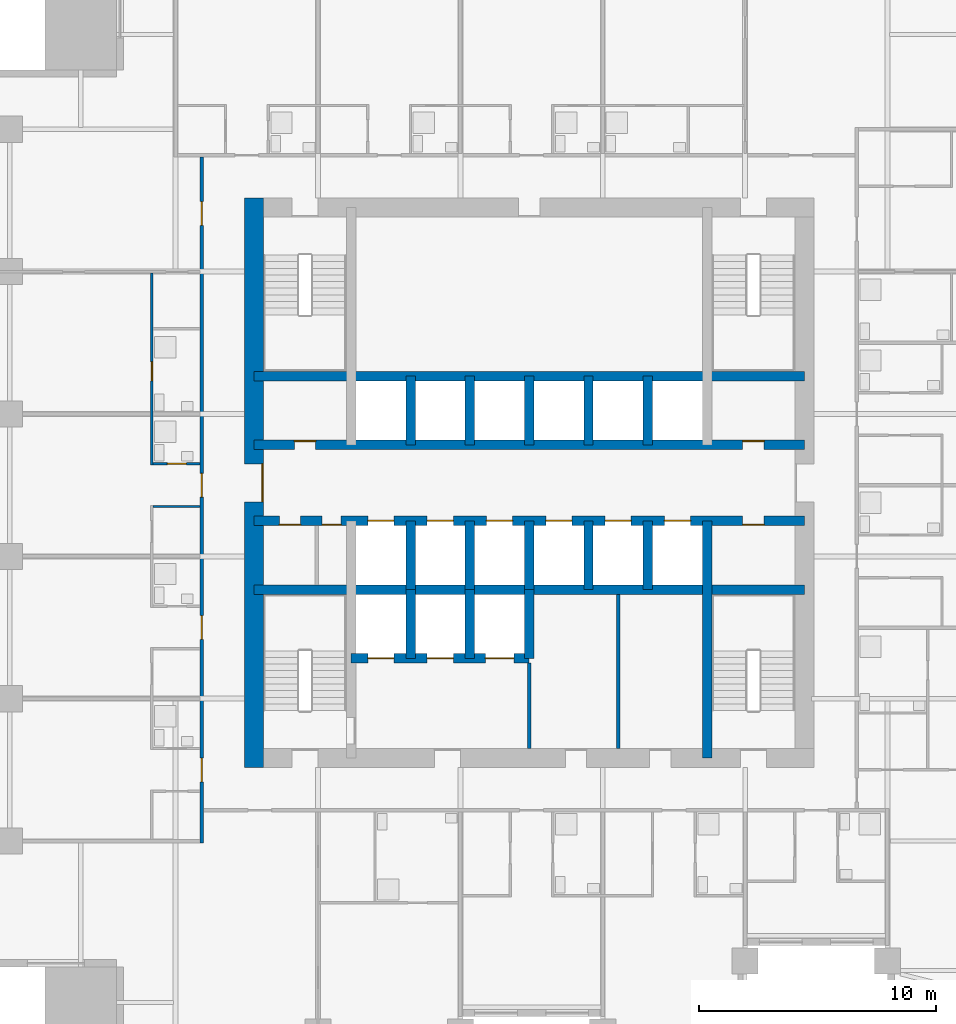
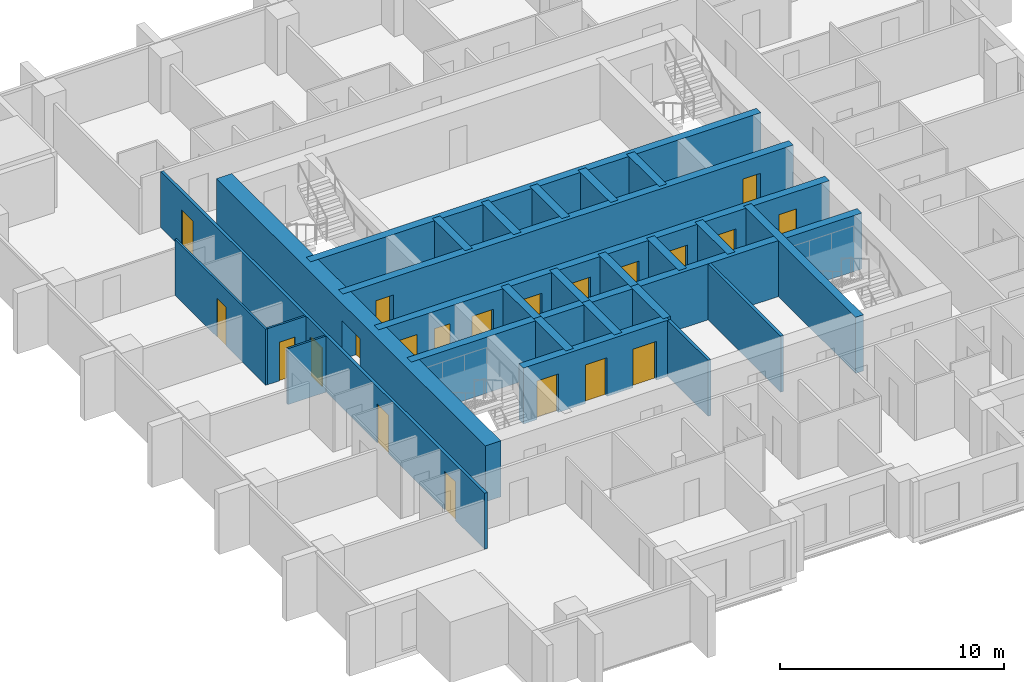
# One storey, part 5 of 11: 26 walls, 21 doors, 21 openings.
"""IFC4 building model written with IfcOpenShell, lengths in metres."""

from ifc_helpers import new_model, si_unit, direction, frame, frame_2d, origin, place, context, subcontext, project, spatial, rectangle, extrude, material, layer, layer_set, type_object, element, fill, save


model = new_model("IFC4")

# Units and contexts
model_context = context("Model", 3, precision=1e-05, world=origin(), true_north=direction((0.0, 1.0)))
body_context = subcontext(model_context, "Body", "Model", "MODEL_VIEW")
ifc_project = project(units=[si_unit("LENGTHUNIT", "METRE"), si_unit("AREAUNIT", "SQUARE_METRE"), si_unit("VOLUMEUNIT", "CUBIC_METRE"), si_unit("PLANEANGLEUNIT", "RADIAN"), si_unit("MASSUNIT", "GRAM", prefix="KILO")], contexts=[model_context])

# Site, building, storey
site_placement = place(None, origin())
site = spatial("IfcSite", under=ifc_project, at=site_placement, CompositionType="ELEMENT")
building_placement = place(site_placement, origin())
building = spatial("IfcBuilding", under=site, at=building_placement, Name="Amberfall Residences", CompositionType="ELEMENT")
storey_placement = place(building_placement, frame((0.0, 0.0, 91.89990234375)))
storey = spatial("IfcBuildingStorey", under=building, at=storey_placement, Name="L24", CompositionType="ELEMENT", Elevation=91.89990234375)

# Wall
ifc_material_1 = material(Name="Concrete C70", Category="concrete")
ifc_layer_1 = layer(ifc_material_1, 0.39990234375)
ifc_layer_set_1 = layer_set([ifc_layer_1], Name="Core wall 400 C70")
wall_type_1 = type_object("IfcWallType", Name="Core wall 400 C70", PredefinedType="SHEAR", material=ifc_layer_set_1)
wall_1_placement = place(storey_placement, frame((62.89990234375, 41.0, 0.0), z_axis=(0.0, 0.0, 1.0), x_axis=(1.0, 0.0, 0.0)))
element("IfcWall", 1, at=wall_1_placement, inside=storey, type_object=wall_type_1, Name="Core wall RW4 L24 H75", PredefinedType="SHEAR", context=body_context, shape_type="SweptSolid", body=[
    extrude(rectangle(XDim=23.2001953125, YDim=0.39990234375, at=frame_2d((11.60009765625, 0.0))), origin(), (0.0, 0.0, 1.0), 3.050048828125),
])

# Wall, openings, doors
wall_2_placement = place(storey_placement, frame((62.89990234375, 43.89990234375, 0.0), z_axis=(0.0, 0.0, 1.0), x_axis=(1.0, 0.0, 0.0)))
wall_2 = element("IfcWall", 2, at=wall_2_placement, inside=storey, type_object=wall_type_1, Name="Core wall RW4 L24 H104", PredefinedType="SHEAR", context=body_context, shape_type="SweptSolid", body=[
    extrude(rectangle(XDim=23.2001953125, YDim=0.39990234375, at=frame_2d((11.60009765625, 0.0))), origin(), (0.0, 0.0, 1.0), 3.050048828125),
])
opening_1_placement = place(wall_2_placement, frame((1.070068359375, 0.0, 0.0)))
opening_1 = element("IfcOpeningElement", 3, at=opening_1_placement, cuts=wall_2, Name="Opening RD1", PredefinedType="OPENING", context=body_context, shape_type="SweptSolid", body=[
    extrude(rectangle(XDim=0.89990234375, YDim=2.10009765625, at=frame_2d((0.449951171875, 1.050048828125))), frame((0.0, 0.2099609375, 0.0), z_axis=(0.0, -1.0, 0.0), x_axis=(1.0, 0.0, 0.0)), (0.0, 0.0, 1.0), 0.419921875),
])
opening_2_placement = place(wall_2_placement, frame((2.8701171875, 0.0, 0.0)))
opening_2 = element("IfcOpeningElement", 4, at=opening_2_placement, cuts=wall_2, Name="Opening RD2", PredefinedType="OPENING", context=body_context, shape_type="SweptSolid", body=[
    extrude(rectangle(XDim=0.800048828125, YDim=2.10009765625, at=frame_2d((0.39990234375, 1.050048828125))), frame((0.0, 0.2099609375, 0.0), z_axis=(0.0, -1.0, 0.0), x_axis=(1.0, 0.0, 0.0)), (0.0, 0.0, 1.0), 0.419921875),
])
opening_3_placement = place(wall_2_placement, frame((20.60009765625, 0.0, 0.0)))
opening_3 = element("IfcOpeningElement", 5, at=opening_3_placement, cuts=wall_2, Name="Opening RD1", PredefinedType="OPENING", context=body_context, shape_type="SweptSolid", body=[
    extrude(rectangle(XDim=0.89990234375, YDim=2.10009765625, at=frame_2d((0.449951171875, 1.050048828125))), frame((0.0, 0.2099609375, 0.0), z_axis=(0.0, -1.0, 0.0), x_axis=(1.0, 0.0, 0.0)), (0.0, 0.0, 1.0), 0.419921875),
])
opening_4_placement = place(wall_2_placement, frame((4.800048828125, 0.0, 0.0)))
opening_4 = element("IfcOpeningElement", 6, at=opening_4_placement, cuts=wall_2, Name="Opening LD1", PredefinedType="OPENING", context=body_context, shape_type="SweptSolid", body=[
    extrude(rectangle(XDim=1.10009765625, YDim=2.10009765625, at=frame_2d((0.550048828125, 1.050048828125))), frame((0.0, 0.2099609375, 0.0), z_axis=(0.0, -1.0, 0.0), x_axis=(1.0, 0.0, 0.0)), (0.0, 0.0, 1.0), 0.419921875),
])
opening_5_placement = place(wall_2_placement, frame((7.300048828125, 0.0, 0.0)))
opening_5 = element("IfcOpeningElement", 7, at=opening_5_placement, cuts=wall_2, Name="Opening LD1", PredefinedType="OPENING", context=body_context, shape_type="SweptSolid", body=[
    extrude(rectangle(XDim=1.10009765625, YDim=2.10009765625, at=frame_2d((0.550048828125, 1.050048828125))), frame((0.0, 0.2099609375, 0.0), z_axis=(0.0, -1.0, 0.0), x_axis=(1.0, 0.0, 0.0)), (0.0, 0.0, 1.0), 0.419921875),
])
opening_6_placement = place(wall_2_placement, frame((9.800048828125, 0.0, 0.0)))
opening_6 = element("IfcOpeningElement", 8, at=opening_6_placement, cuts=wall_2, Name="Opening LD1", PredefinedType="OPENING", context=body_context, shape_type="SweptSolid", body=[
    extrude(rectangle(XDim=1.10009765625, YDim=2.10009765625, at=frame_2d((0.550048828125, 1.050048828125))), frame((0.0, 0.2099609375, 0.0), z_axis=(0.0, -1.0, 0.0), x_axis=(1.0, 0.0, 0.0)), (0.0, 0.0, 1.0), 0.419921875),
])
opening_7_placement = place(wall_2_placement, frame((12.300048828125, 0.0, 0.0)))
opening_7 = element("IfcOpeningElement", 9, at=opening_7_placement, cuts=wall_2, Name="Opening LD1", PredefinedType="OPENING", context=body_context, shape_type="SweptSolid", body=[
    extrude(rectangle(XDim=1.10009765625, YDim=2.10009765625, at=frame_2d((0.550048828125, 1.050048828125))), frame((0.0, 0.2099609375, 0.0), z_axis=(0.0, -1.0, 0.0), x_axis=(1.0, 0.0, 0.0)), (0.0, 0.0, 1.0), 0.419921875),
])
opening_8_placement = place(wall_2_placement, frame((14.800048828125, 0.0, 0.0)))
opening_8 = element("IfcOpeningElement", 10, at=opening_8_placement, cuts=wall_2, Name="Opening LD1", PredefinedType="OPENING", context=body_context, shape_type="SweptSolid", body=[
    extrude(rectangle(XDim=1.10009765625, YDim=2.10009765625, at=frame_2d((0.550048828125, 1.050048828125))), frame((0.0, 0.2099609375, 0.0), z_axis=(0.0, -1.0, 0.0), x_axis=(1.0, 0.0, 0.0)), (0.0, 0.0, 1.0), 0.419921875),
])
opening_9_placement = place(wall_2_placement, frame((17.300048828125, 0.0, 0.0)))
opening_9 = element("IfcOpeningElement", 11, at=opening_9_placement, cuts=wall_2, Name="Opening LD1", PredefinedType="OPENING", context=body_context, shape_type="SweptSolid", body=[
    extrude(rectangle(XDim=1.10009765625, YDim=2.10009765625, at=frame_2d((0.550048828125, 1.050048828125))), frame((0.0, 0.2099609375, 0.0), z_axis=(0.0, -1.0, 0.0), x_axis=(1.0, 0.0, 0.0)), (0.0, 0.0, 1.0), 0.419921875),
])
ifc_material_2 = material(Name="Steel fire door set", Category="steel")
door_type_1 = type_object("IfcDoorType", Name="Lift landing door 1100 x 2100", OperationType="DOUBLE_DOOR_SLIDING", PredefinedType="DOOR", material=ifc_material_2)
door_1_placement = place(opening_4_placement, origin())
door_1 = element("IfcDoor", 12, at=door_1_placement, inside=storey, type_object=door_type_1, Name="Landing door LP1 L24", OperationType="DOUBLE_DOOR_SLIDING", OverallHeight=2.10009765625, OverallWidth=1.10009765625, PredefinedType="DOOR", context=body_context, shape_type="SweptSolid", body=[
    extrude(rectangle(XDim=1.10009765625, YDim=2.10009765625, at=frame_2d((0.550048828125, 1.050048828125))), frame((0.0, 0.02490234375, 0.0), z_axis=(0.0, -1.0, 0.0), x_axis=(1.0, 0.0, 0.0)), (0.0, 0.0, 1.0), 0.050048828125),
])
fill(opening_4, door_1)
door_2_placement = place(opening_5_placement, origin())
door_2 = element("IfcDoor", 13, at=door_2_placement, inside=storey, type_object=door_type_1, Name="Landing door LP2 L24", OperationType="DOUBLE_DOOR_SLIDING", OverallHeight=2.10009765625, OverallWidth=1.10009765625, PredefinedType="DOOR", context=body_context, shape_type="SweptSolid", body=[
    extrude(rectangle(XDim=1.10009765625, YDim=2.10009765625, at=frame_2d((0.550048828125, 1.050048828125))), frame((0.0, 0.02490234375, 0.0), z_axis=(0.0, -1.0, 0.0), x_axis=(1.0, 0.0, 0.0)), (0.0, 0.0, 1.0), 0.050048828125),
])
fill(opening_5, door_2)
door_3_placement = place(opening_6_placement, origin())
door_3 = element("IfcDoor", 14, at=door_3_placement, inside=storey, type_object=door_type_1, Name="Landing door LP3 L24", OperationType="DOUBLE_DOOR_SLIDING", OverallHeight=2.10009765625, OverallWidth=1.10009765625, PredefinedType="DOOR", context=body_context, shape_type="SweptSolid", body=[
    extrude(rectangle(XDim=1.10009765625, YDim=2.10009765625, at=frame_2d((0.550048828125, 1.050048828125))), frame((0.0, 0.02490234375, 0.0), z_axis=(0.0, -1.0, 0.0), x_axis=(1.0, 0.0, 0.0)), (0.0, 0.0, 1.0), 0.050048828125),
])
fill(opening_6, door_3)
door_4_placement = place(opening_7_placement, origin())
door_4 = element("IfcDoor", 15, at=door_4_placement, inside=storey, type_object=door_type_1, Name="Landing door LP4 L24", OperationType="DOUBLE_DOOR_SLIDING", OverallHeight=2.10009765625, OverallWidth=1.10009765625, PredefinedType="DOOR", context=body_context, shape_type="SweptSolid", body=[
    extrude(rectangle(XDim=1.10009765625, YDim=2.10009765625, at=frame_2d((0.550048828125, 1.050048828125))), frame((0.0, 0.02490234375, 0.0), z_axis=(0.0, -1.0, 0.0), x_axis=(1.0, 0.0, 0.0)), (0.0, 0.0, 1.0), 0.050048828125),
])
fill(opening_7, door_4)
door_5_placement = place(opening_8_placement, origin())
door_5 = element("IfcDoor", 16, at=door_5_placement, inside=storey, type_object=door_type_1, Name="Landing door LP5 L24", OperationType="DOUBLE_DOOR_SLIDING", OverallHeight=2.10009765625, OverallWidth=1.10009765625, PredefinedType="DOOR", context=body_context, shape_type="SweptSolid", body=[
    extrude(rectangle(XDim=1.10009765625, YDim=2.10009765625, at=frame_2d((0.550048828125, 1.050048828125))), frame((0.0, 0.02490234375, 0.0), z_axis=(0.0, -1.0, 0.0), x_axis=(1.0, 0.0, 0.0)), (0.0, 0.0, 1.0), 0.050048828125),
])
fill(opening_8, door_5)
door_6_placement = place(opening_9_placement, origin())
door_6 = element("IfcDoor", 17, at=door_6_placement, inside=storey, type_object=door_type_1, Name="Landing door LP6 L24", OperationType="DOUBLE_DOOR_SLIDING", OverallHeight=2.10009765625, OverallWidth=1.10009765625, PredefinedType="DOOR", context=body_context, shape_type="SweptSolid", body=[
    extrude(rectangle(XDim=1.10009765625, YDim=2.10009765625, at=frame_2d((0.550048828125, 1.050048828125))), frame((0.0, 0.02490234375, 0.0), z_axis=(0.0, -1.0, 0.0), x_axis=(1.0, 0.0, 0.0)), (0.0, 0.0, 1.0), 0.050048828125),
])
fill(opening_9, door_6)
door_type_2 = type_object("IfcDoorType", Name="Service room door 800 x 2100", OperationType="SINGLE_SWING_LEFT", PredefinedType="DOOR", material=ifc_material_2)
door_7_placement = place(opening_2_placement, origin())
door_7 = element("IfcDoor", 18, at=door_7_placement, inside=storey, type_object=door_type_2, Name="RD2 L24", OperationType="SINGLE_SWING_RIGHT", OverallHeight=2.10009765625, OverallWidth=0.800048828125, PredefinedType="DOOR", context=body_context, shape_type="SweptSolid", body=[
    extrude(rectangle(XDim=0.800048828125, YDim=2.10009765625, at=frame_2d((0.39990234375, 1.050048828125))), frame((0.0, -0.1376953125, 0.0), z_axis=(0.0, -1.0, 0.0), x_axis=(1.0, 0.0, 0.0)), (0.0, 0.0, 1.0), 0.050048828125),
])
fill(opening_2, door_7)
door_type_3 = type_object("IfcDoorType", Name="Service room door 900 x 2100", OperationType="SINGLE_SWING_LEFT", PredefinedType="DOOR", material=ifc_material_2)
door_8_placement = place(opening_1_placement, origin())
door_8 = element("IfcDoor", 19, at=door_8_placement, inside=storey, type_object=door_type_3, Name="RD1 L24", OperationType="SINGLE_SWING_LEFT", OverallHeight=2.10009765625, OverallWidth=0.89990234375, PredefinedType="DOOR", context=body_context, shape_type="SweptSolid", body=[
    extrude(rectangle(XDim=0.89990234375, YDim=2.10009765625, at=frame_2d((0.449951171875, 1.050048828125))), frame((0.0, -0.1376953125, 0.0), z_axis=(0.0, -1.0, 0.0), x_axis=(1.0, 0.0, 0.0)), (0.0, 0.0, 1.0), 0.050048828125),
])
fill(opening_1, door_8)
door_9_placement = place(opening_3_placement, origin())
door_9 = element("IfcDoor", 20, at=door_9_placement, inside=storey, type_object=door_type_3, Name="RD1 L24", OperationType="SINGLE_SWING_LEFT", OverallHeight=2.10009765625, OverallWidth=0.89990234375, PredefinedType="DOOR", context=body_context, shape_type="SweptSolid", body=[
    extrude(rectangle(XDim=0.89990234375, YDim=2.10009765625, at=frame_2d((0.449951171875, 1.050048828125))), frame((0.0, -0.1376953125, 0.0), z_axis=(0.0, -1.0, 0.0), x_axis=(1.0, 0.0, 0.0)), (0.0, 0.0, 1.0), 0.050048828125),
])
fill(opening_3, door_9)

wall_3_placement = place(storey_placement, frame((62.89990234375, 47.10009765625, 0.0), z_axis=(0.0, 0.0, 1.0), x_axis=(1.0, 0.0, 0.0)))
wall_3 = element("IfcWall", 21, at=wall_3_placement, inside=storey, type_object=wall_type_1, Name="Core wall RW4 L24 H136", PredefinedType="SHEAR", context=body_context, shape_type="SweptSolid", body=[
    extrude(rectangle(XDim=23.2001953125, YDim=0.39990234375, at=frame_2d((11.60009765625, 0.0))), origin(), (0.0, 0.0, 1.0), 3.050048828125),
])
opening_10_placement = place(wall_3_placement, frame((1.699951171875, 0.0, 0.0)))
opening_10 = element("IfcOpeningElement", 22, at=opening_10_placement, cuts=wall_3, Name="Opening RD1", PredefinedType="OPENING", context=body_context, shape_type="SweptSolid", body=[
    extrude(rectangle(XDim=0.89990234375, YDim=2.10009765625, at=frame_2d((0.449951171875, 1.050048828125))), frame((0.0, 0.2099609375, 0.0), z_axis=(0.0, -1.0, 0.0), x_axis=(1.0, 0.0, 0.0)), (0.0, 0.0, 1.0), 0.419921875),
])
opening_11_placement = place(wall_3_placement, frame((20.60009765625, 0.0, 0.0)))
opening_11 = element("IfcOpeningElement", 23, at=opening_11_placement, cuts=wall_3, Name="Opening RD1", PredefinedType="OPENING", context=body_context, shape_type="SweptSolid", body=[
    extrude(rectangle(XDim=0.89990234375, YDim=2.10009765625, at=frame_2d((0.449951171875, 1.050048828125))), frame((0.0, 0.2099609375, 0.0), z_axis=(0.0, -1.0, 0.0), x_axis=(1.0, 0.0, 0.0)), (0.0, 0.0, 1.0), 0.419921875),
])
door_10_placement = place(opening_10_placement, origin())
door_10 = element("IfcDoor", 24, at=door_10_placement, inside=storey, type_object=door_type_3, Name="RD1 L24", OperationType="SINGLE_SWING_LEFT", OverallHeight=2.10009765625, OverallWidth=0.89990234375, PredefinedType="DOOR", context=body_context, shape_type="SweptSolid", body=[
    extrude(rectangle(XDim=0.89990234375, YDim=2.10009765625, at=frame_2d((0.449951171875, 1.050048828125))), frame((0.0, 0.1875, 0.0), z_axis=(0.0, -1.0, 0.0), x_axis=(1.0, 0.0, 0.0)), (0.0, 0.0, 1.0), 0.050048828125),
])
fill(opening_10, door_10)
door_11_placement = place(opening_11_placement, origin())
door_11 = element("IfcDoor", 25, at=door_11_placement, inside=storey, type_object=door_type_3, Name="RD1 L24", OperationType="SINGLE_SWING_LEFT", OverallHeight=2.10009765625, OverallWidth=0.89990234375, PredefinedType="DOOR", context=body_context, shape_type="SweptSolid", body=[
    extrude(rectangle(XDim=0.89990234375, YDim=2.10009765625, at=frame_2d((0.449951171875, 1.050048828125))), frame((0.0, 0.1875, 0.0), z_axis=(0.0, -1.0, 0.0), x_axis=(1.0, 0.0, 0.0)), (0.0, 0.0, 1.0), 0.050048828125),
])
fill(opening_11, door_11)

# Walls
wall_4_placement = place(storey_placement, frame((62.89990234375, 50.0, 0.0), z_axis=(0.0, 0.0, 1.0), x_axis=(1.0, 0.0, 0.0)))
element("IfcWall", 26, at=wall_4_placement, inside=storey, type_object=wall_type_1, Name="Core wall RW4 L24 H165", PredefinedType="SHEAR", context=body_context, shape_type="SweptSolid", body=[
    extrude(rectangle(XDim=23.2001953125, YDim=0.39990234375, at=frame_2d((11.60009765625, 0.0))), origin(), (0.0, 0.0, 1.0), 3.050048828125),
])
wall_5_placement = place(storey_placement, frame((82.0, 33.89990234375, 0.0), z_axis=(0.0, 0.0, 1.0), x_axis=(0.0, 1.0, 0.0)))
element("IfcWall", 27, at=wall_5_placement, inside=storey, type_object=wall_type_1, Name="Core wall RW4 L24 V195S", PredefinedType="SHEAR", context=body_context, shape_type="SweptSolid", body=[
    extrude(rectangle(XDim=10.0, YDim=0.39990234375, at=frame_2d((5.0, 0.0))), origin(), (0.0, 0.0, 1.0), 3.050048828125),
])
for number, where, z_axis, x_axis, name in (
    (28, (69.5, 41.0, 0.0), (0.0, 0.0, 1.0), (0.0, 1.0, 0.0), "Core wall RW4 L24 LPD1"),
    (29, (69.5, 47.10009765625, 0.0), (0.0, 0.0, 1.0), (0.0, 1.0, 0.0), "Core wall RW4 L24 HPD1"),
    (30, (72.0, 41.0, 0.0), (0.0, 0.0, 1.0), (0.0, 1.0, 0.0), "Core wall RW4 L24 LPD2"),
    (31, (72.0, 47.10009765625, 0.0), (0.0, 0.0, 1.0), (0.0, 1.0, 0.0), "Core wall RW4 L24 HPD2"),
    (32, (74.5, 41.0, 0.0), (0.0, 0.0, 1.0), (0.0, 1.0, 0.0), "Core wall RW4 L24 LPD3"),
    (33, (74.5, 47.10009765625, 0.0), (0.0, 0.0, 1.0), (0.0, 1.0, 0.0), "Core wall RW4 L24 HPD3"),
    (34, (77.0, 41.0, 0.0), (0.0, 0.0, 1.0), (0.0, 1.0, 0.0), "Core wall RW4 L24 LPD4"),
    (35, (77.0, 47.10009765625, 0.0), (0.0, 0.0, 1.0), (0.0, 1.0, 0.0), "Core wall RW4 L24 HPD4"),
    (36, (79.5, 41.0, 0.0), (0.0, 0.0, 1.0), (0.0, 1.0, 0.0), "Core wall RW4 L24 LPD5"),
    (37, (79.5, 47.10009765625, 0.0), (0.0, 0.0, 1.0), (0.0, 1.0, 0.0), "Core wall RW4 L24 HPD5"),
):
    element("IfcWall", number, at=place(storey_placement, frame(where, z_axis=z_axis, x_axis=x_axis)), inside=storey, type_object=wall_type_1, Name=name, PredefinedType="SHEAR", context=body_context, shape_type="SweptSolid", body=[
        extrude(rectangle(XDim=2.89990234375, YDim=0.39990234375, at=frame_2d((1.449951171875, 0.0))), origin(), (0.0, 0.0, 1.0), 3.050048828125),
    ])

# Wall, openings, doors
wall_6_placement = place(storey_placement, frame((67.0, 38.10009765625, 0.0), z_axis=(0.0, 0.0, 1.0), x_axis=(1.0, 0.0, 0.0)))
wall_6 = element("IfcWall", 38, at=wall_6_placement, inside=storey, type_object=wall_type_1, Name="Core wall RW4 L24 FFF", PredefinedType="SHEAR", context=body_context, shape_type="SweptSolid", body=[
    extrude(rectangle(XDim=7.5, YDim=0.39990234375, at=frame_2d((3.75, 0.0))), origin(), (0.0, 0.0, 1.0), 3.050048828125),
])
opening_12_placement = place(wall_6_placement, frame((0.699951171875, 0.0, 0.0)))
opening_12 = element("IfcOpeningElement", 39, at=opening_12_placement, cuts=wall_6, Name="Opening LD2", PredefinedType="OPENING", context=body_context, shape_type="SweptSolid", body=[
    extrude(rectangle(XDim=1.10009765625, YDim=2.10009765625, at=frame_2d((0.550048828125, 1.050048828125))), frame((0.0, 0.2099609375, 0.0), z_axis=(0.0, -1.0, 0.0), x_axis=(1.0, 0.0, 0.0)), (0.0, 0.0, 1.0), 0.419921875),
])
opening_13_placement = place(wall_6_placement, frame((3.199951171875, 0.0, 0.0)))
opening_13 = element("IfcOpeningElement", 40, at=opening_13_placement, cuts=wall_6, Name="Opening LD2", PredefinedType="OPENING", context=body_context, shape_type="SweptSolid", body=[
    extrude(rectangle(XDim=1.10009765625, YDim=2.10009765625, at=frame_2d((0.550048828125, 1.050048828125))), frame((0.0, 0.2099609375, 0.0), z_axis=(0.0, -1.0, 0.0), x_axis=(1.0, 0.0, 0.0)), (0.0, 0.0, 1.0), 0.419921875),
])
opening_14_placement = place(wall_6_placement, frame((5.64990234375, 0.0, 0.0)))
opening_14 = element("IfcOpeningElement", 41, at=opening_14_placement, cuts=wall_6, Name="Opening LD3", PredefinedType="OPENING", context=body_context, shape_type="SweptSolid", body=[
    extrude(rectangle(XDim=1.199951171875, YDim=2.10009765625, at=frame_2d((0.60009765625, 1.050048828125))), frame((0.0, 0.2099609375, 0.0), z_axis=(0.0, -1.0, 0.0), x_axis=(1.0, 0.0, 0.0)), (0.0, 0.0, 1.0), 0.419921875),
])
door_type_4 = type_object("IfcDoorType", Name="Firefighting lift landing door 1100 x 2100", OperationType="DOUBLE_DOOR_SLIDING", PredefinedType="DOOR", material=ifc_material_2)
door_12_placement = place(opening_12_placement, origin())
door_12 = element("IfcDoor", 42, at=door_12_placement, inside=storey, type_object=door_type_4, Name="Landing door FF1 L24", OperationType="DOUBLE_DOOR_SLIDING", OverallHeight=2.10009765625, OverallWidth=1.10009765625, PredefinedType="DOOR", context=body_context, shape_type="SweptSolid", body=[
    extrude(rectangle(XDim=1.10009765625, YDim=2.10009765625, at=frame_2d((0.550048828125, 1.050048828125))), frame((0.0, 0.02490234375, 0.0), z_axis=(0.0, -1.0, 0.0), x_axis=(1.0, 0.0, 0.0)), (0.0, 0.0, 1.0), 0.050048828125),
])
fill(opening_12, door_12)
door_13_placement = place(opening_13_placement, origin())
door_13 = element("IfcDoor", 43, at=door_13_placement, inside=storey, type_object=door_type_4, Name="Landing door FF2 L24", OperationType="DOUBLE_DOOR_SLIDING", OverallHeight=2.10009765625, OverallWidth=1.10009765625, PredefinedType="DOOR", context=body_context, shape_type="SweptSolid", body=[
    extrude(rectangle(XDim=1.10009765625, YDim=2.10009765625, at=frame_2d((0.550048828125, 1.050048828125))), frame((0.0, 0.02490234375, 0.0), z_axis=(0.0, -1.0, 0.0), x_axis=(1.0, 0.0, 0.0)), (0.0, 0.0, 1.0), 0.050048828125),
])
fill(opening_13, door_13)
door_type_5 = type_object("IfcDoorType", Name="Service lift landing door 1200 x 2100", OperationType="DOUBLE_DOOR_SLIDING", PredefinedType="DOOR", material=ifc_material_2)
door_14_placement = place(opening_14_placement, origin())
door_14 = element("IfcDoor", 44, at=door_14_placement, inside=storey, type_object=door_type_5, Name="Landing door SL1 L24", OperationType="DOUBLE_DOOR_SLIDING", OverallHeight=2.10009765625, OverallWidth=1.199951171875, PredefinedType="DOOR", context=body_context, shape_type="SweptSolid", body=[
    extrude(rectangle(XDim=1.199951171875, YDim=2.10009765625, at=frame_2d((0.60009765625, 1.050048828125))), frame((0.0, 0.02490234375, 0.0), z_axis=(0.0, -1.0, 0.0), x_axis=(1.0, 0.0, 0.0)), (0.0, 0.0, 1.0), 0.050048828125),
])
fill(opening_14, door_14)

# Walls
for number, where, z_axis, x_axis, name in (
    (45, (69.5, 38.10009765625, 0.0), (0.0, 0.0, 1.0), (0.0, 1.0, 0.0), "Core wall RW4 L24 FFD1"),
    (46, (72.0, 38.10009765625, 0.0), (0.0, 0.0, 1.0), (0.0, 1.0, 0.0), "Core wall RW4 L24 FFD2"),
    (47, (74.5, 38.10009765625, 0.0), (0.0, 0.0, 1.0), (0.0, 1.0, 0.0), "Core wall RW4 L24 FFD3"),
):
    element("IfcWall", number, at=place(storey_placement, frame(where, z_axis=z_axis, x_axis=x_axis)), inside=storey, type_object=wall_type_1, Name=name, PredefinedType="SHEAR", context=body_context, shape_type="SweptSolid", body=[
        extrude(rectangle(XDim=2.89990234375, YDim=0.39990234375, at=frame_2d((1.449951171875, 0.0))), origin(), (0.0, 0.0, 1.0), 3.050048828125),
    ])

# Wall, opening, door
ifc_layer_2 = layer(ifc_material_1, 0.800048828125)
ifc_layer_set_2 = layer_set([ifc_layer_2], Name="Core wall 800 C70")
wall_type_2 = type_object("IfcWallType", Name="Core wall 800 C70", PredefinedType="SHEAR", material=ifc_layer_set_2)
wall_7_placement = place(storey_placement, frame((62.89990234375, 33.5, 0.0), z_axis=(0.0, 0.0, 1.0), x_axis=(0.0, 1.0, 0.0)))
wall_7 = element("IfcWall", 48, at=wall_7_placement, inside=storey, type_object=wall_type_2, Name="Core wall RW3 L24 OW", PredefinedType="SHEAR", context=body_context, shape_type="SweptSolid", body=[
    extrude(rectangle(XDim=24.0, YDim=0.800048828125, at=frame_2d((12.0, 0.0))), origin(), (0.0, 0.0, 1.0), 3.050048828125),
])
opening_15_placement = place(wall_7_placement, frame((11.199951171875, 0.0, 0.0)))
opening_15 = element("IfcOpeningElement", 49, at=opening_15_placement, cuts=wall_7, Name="Opening LB1", PredefinedType="OPENING", context=body_context, shape_type="SweptSolid", body=[
    extrude(rectangle(XDim=1.60009765625, YDim=2.10009765625, at=frame_2d((0.800048828125, 1.050048828125))), frame((0.0, 0.409912109375, 0.0), z_axis=(0.0, -1.0, 0.0), x_axis=(1.0, 0.0, 0.0)), (0.0, 0.0, 1.0), 0.820068359375),
])
door_type_6 = type_object("IfcDoorType", Name="Lift lobby double door 1600 x 2100", OperationType="DOUBLE_DOOR_SINGLE_SWING", PredefinedType="DOOR", material=ifc_material_2)
door_15_placement = place(opening_15_placement, origin())
door_15 = element("IfcDoor", 50, at=door_15_placement, inside=storey, type_object=door_type_6, Name="LB1 L24", OperationType="DOUBLE_DOOR_SINGLE_SWING", OverallHeight=2.10009765625, OverallWidth=1.60009765625, PredefinedType="DOOR", context=body_context, shape_type="SweptSolid", body=[
    extrude(rectangle(XDim=1.60009765625, YDim=2.10009765625, at=frame_2d((0.800048828125, 1.050048828125))), frame((0.0, -0.33740234375, 0.0), z_axis=(0.0, -1.0, 0.0), x_axis=(1.0, 0.0, 0.0)), (0.0, 0.0, 1.0), 0.050048828125),
])
fill(opening_15, door_15)

ifc_material_3 = material(Name="Gypsum board on metal stud")
ifc_layer_3 = layer(ifc_material_3, 0.10009765625)
ifc_layer_set_3 = layer_set([ifc_layer_3], Name="Flat partition 100")
wall_type_3 = type_object("IfcWallType", Name="Flat partition 100", PredefinedType="PARTITIONING", material=ifc_layer_set_3)
wall_8_placement = place(storey_placement, frame((58.60009765625, 54.35009765625, 0.0), z_axis=(0.0, 0.0, 1.0), x_axis=(0.0, -1.0, 0.0)))
wall_8 = element("IfcWall", 51, at=wall_8_placement, inside=storey, type_object=wall_type_3, Name="Partition 004", PredefinedType="PARTITIONING", context=body_context, shape_type="SweptSolid", body=[
    extrude(rectangle(XDim=8.10009765625, YDim=0.10009765625, at=frame_2d((4.050048828125, 0.0))), origin(), (0.0, 0.0, 1.0), 3.050048828125),
])
opening_16_placement = place(wall_8_placement, frame((3.75, 0.0, 0.0)))
opening_16 = element("IfcOpeningElement", 52, at=opening_16_placement, cuts=wall_8, Name="Opening D42", PredefinedType="OPENING", context=body_context, shape_type="SweptSolid", body=[
    extrude(rectangle(XDim=0.800048828125, YDim=2.10009765625, at=frame_2d((0.39990234375, 1.050048828125))), frame((0.0, 0.06005859375, 0.0), z_axis=(0.0, -1.0, 0.0), x_axis=(1.0, 0.0, 0.0)), (0.0, 0.0, 1.0), 0.1201171875),
])
ifc_material_4 = material(Name="Timber", Category="wood")
door_type_7 = type_object("IfcDoorType", Name="Bathroom door 800 x 2100", OperationType="SINGLE_SWING_LEFT", PredefinedType="DOOR", material=ifc_material_4)
door_16_placement = place(opening_16_placement, origin())
door_16 = element("IfcDoor", 53, at=door_16_placement, inside=storey, type_object=door_type_7, Name="Door 2416 bath1", OperationType="SINGLE_SWING_LEFT", OverallHeight=2.10009765625, OverallWidth=0.800048828125, PredefinedType="DOOR", context=body_context, shape_type="SweptSolid", body=[
    extrude(rectangle(XDim=0.800048828125, YDim=2.10009765625, at=frame_2d((0.39990234375, 1.050048828125))), frame((0.0, 0.02490234375, 0.0), z_axis=(0.0, -1.0, 0.0), x_axis=(1.0, 0.0, 0.0)), (0.0, 0.0, 1.0), 0.050048828125),
])
fill(opening_16, door_16)

wall_9_placement = place(storey_placement, frame((58.64990234375, 46.300048828125, 0.0), z_axis=(0.0, 0.0, 1.0), x_axis=(1.0, 0.0, 0.0)))
wall_9 = element("IfcWall", 54, at=wall_9_placement, inside=storey, type_object=wall_type_3, Name="Partition 037", PredefinedType="PARTITIONING", context=body_context, shape_type="SweptSolid", body=[
    extrude(rectangle(XDim=1.97509765625, YDim=0.10009765625, at=frame_2d((0.987548828125, 0.0))), origin(), (0.0, 0.0, 1.0), 3.050048828125),
])
opening_17_placement = place(wall_9_placement, frame((0.60009765625, 0.0, 0.0)))
opening_17 = element("IfcOpeningElement", 55, at=opening_17_placement, cuts=wall_9, Name="Opening D42", PredefinedType="OPENING", context=body_context, shape_type="SweptSolid", body=[
    extrude(rectangle(XDim=0.800048828125, YDim=2.10009765625, at=frame_2d((0.39990234375, 1.050048828125))), frame((0.0, 0.06005859375, 0.0), z_axis=(0.0, -1.0, 0.0), x_axis=(1.0, 0.0, 0.0)), (0.0, 0.0, 1.0), 0.1201171875),
])
door_17_placement = place(opening_17_placement, origin())
door_17 = element("IfcDoor", 56, at=door_17_placement, inside=storey, type_object=door_type_7, Name="Door 2415 bath1", OperationType="SINGLE_SWING_LEFT", OverallHeight=2.10009765625, OverallWidth=0.800048828125, PredefinedType="DOOR", context=body_context, shape_type="SweptSolid", body=[
    extrude(rectangle(XDim=0.800048828125, YDim=2.10009765625, at=frame_2d((0.39990234375, 1.050048828125))), frame((0.0, 0.02490234375, 0.0), z_axis=(0.0, -1.0, 0.0), x_axis=(1.0, 0.0, 0.0)), (0.0, 0.0, 1.0), 0.050048828125),
])
fill(opening_17, door_17)

# Wall
wall_10_placement = place(storey_placement, frame((58.64990234375, 44.5, 0.0), z_axis=(0.0, 0.0, 1.0), x_axis=(1.0, 0.0, 0.0)))
element("IfcWall", 57, at=wall_10_placement, inside=storey, type_object=wall_type_3, Name="Partition 038", PredefinedType="PARTITIONING", context=body_context, shape_type="SweptSolid", body=[
    extrude(rectangle(XDim=1.97509765625, YDim=0.10009765625, at=frame_2d((0.987548828125, 0.0))), origin(), (0.0, 0.0, 1.0), 3.050048828125),
])

# Wall, openings, doors
ifc_material_5 = material(Name="Blockwork, plastered", Category="masonry")
ifc_layer_4 = layer(ifc_material_5, 0.14990234375)
ifc_layer_set_4 = layer_set([ifc_layer_4], Name="Flat separating wall 150")
wall_type_4 = type_object("IfcWallType", Name="Flat separating wall 150", PredefinedType="PARTITIONING", material=ifc_layer_set_4)
wall_11_placement = place(storey_placement, frame((60.699951171875, 30.324951171875, 0.0), z_axis=(0.0, 0.0, 1.0), x_axis=(0.0, 1.0, 0.0)))
wall_11 = element("IfcWall", 58, at=wall_11_placement, inside=storey, type_object=wall_type_4, Name="Separating wall 054", PredefinedType="PARTITIONING", context=body_context, shape_type="SweptSolid", body=[
    extrude(rectangle(XDim=28.900146484375, YDim=0.14990234375, at=frame_2d((14.4501953125, 0.0))), origin(), (0.0, 0.0, 1.0), 3.050048828125),
])
opening_18_placement = place(wall_11_placement, frame((2.574951171875, 0.0, 0.0)))
opening_18 = element("IfcOpeningElement", 59, at=opening_18_placement, cuts=wall_11, Name="Opening D40", PredefinedType="OPENING", context=body_context, shape_type="SweptSolid", body=[
    extrude(rectangle(XDim=1.0, YDim=2.10009765625, at=frame_2d((0.5, 1.050048828125))), frame((0.0, 0.0849609375, 0.0), z_axis=(0.0, -1.0, 0.0), x_axis=(1.0, 0.0, 0.0)), (0.0, 0.0, 1.0), 0.169921875),
])
opening_19_placement = place(wall_11_placement, frame((8.574951171875, 0.0, 0.0)))
opening_19 = element("IfcOpeningElement", 60, at=opening_19_placement, cuts=wall_11, Name="Opening D40", PredefinedType="OPENING", context=body_context, shape_type="SweptSolid", body=[
    extrude(rectangle(XDim=1.0, YDim=2.10009765625, at=frame_2d((0.5, 1.050048828125))), frame((0.0, 0.0849609375, 0.0), z_axis=(0.0, -1.0, 0.0), x_axis=(1.0, 0.0, 0.0)), (0.0, 0.0, 1.0), 0.169921875),
])
opening_20_placement = place(wall_11_placement, frame((14.574951171875, 0.0, 0.0)))
opening_20 = element("IfcOpeningElement", 61, at=opening_20_placement, cuts=wall_11, Name="Opening D40", PredefinedType="OPENING", context=body_context, shape_type="SweptSolid", body=[
    extrude(rectangle(XDim=1.0, YDim=2.10009765625, at=frame_2d((0.5, 1.050048828125))), frame((0.0, 0.0849609375, 0.0), z_axis=(0.0, -1.0, 0.0), x_axis=(1.0, 0.0, 0.0)), (0.0, 0.0, 1.0), 0.169921875),
])
opening_21_placement = place(wall_11_placement, frame((26.02490234375, 0.0, 0.0)))
opening_21 = element("IfcOpeningElement", 62, at=opening_21_placement, cuts=wall_11, Name="Opening D40", PredefinedType="OPENING", context=body_context, shape_type="SweptSolid", body=[
    extrude(rectangle(XDim=1.0, YDim=2.10009765625, at=frame_2d((0.5, 1.050048828125))), frame((0.0, 0.0849609375, 0.0), z_axis=(0.0, -1.0, 0.0), x_axis=(1.0, 0.0, 0.0)), (0.0, 0.0, 1.0), 0.169921875),
])
ifc_material_6 = material(Name="Timber, fire-rated", Category="wood")
door_type_8 = type_object("IfcDoorType", Name="Flat entrance door FD60 1000 x 2100", OperationType="SINGLE_SWING_LEFT", PredefinedType="DOOR", material=ifc_material_6)
door_18_placement = place(opening_18_placement, origin())
door_18 = element("IfcDoor", 63, at=door_18_placement, inside=storey, type_object=door_type_8, Name="Door 2413 entrance", OperationType="SINGLE_SWING_LEFT", OverallHeight=2.10009765625, OverallWidth=1.0, PredefinedType="DOOR", context=body_context, shape_type="SweptSolid", body=[
    extrude(rectangle(XDim=1.0, YDim=2.10009765625, at=frame_2d((0.5, 1.050048828125))), frame((0.0, 0.02490234375, 0.0), z_axis=(0.0, -1.0, 0.0), x_axis=(1.0, 0.0, 0.0)), (0.0, 0.0, 1.0), 0.050048828125),
])
fill(opening_18, door_18)
door_19_placement = place(opening_19_placement, origin())
door_19 = element("IfcDoor", 64, at=door_19_placement, inside=storey, type_object=door_type_8, Name="Door 2414 entrance", OperationType="SINGLE_SWING_LEFT", OverallHeight=2.10009765625, OverallWidth=1.0, PredefinedType="DOOR", context=body_context, shape_type="SweptSolid", body=[
    extrude(rectangle(XDim=1.0, YDim=2.10009765625, at=frame_2d((0.5, 1.050048828125))), frame((0.0, 0.02490234375, 0.0), z_axis=(0.0, -1.0, 0.0), x_axis=(1.0, 0.0, 0.0)), (0.0, 0.0, 1.0), 0.050048828125),
])
fill(opening_19, door_19)
door_20_placement = place(opening_20_placement, origin())
door_20 = element("IfcDoor", 65, at=door_20_placement, inside=storey, type_object=door_type_8, Name="Door 2415 entrance", OperationType="SINGLE_SWING_LEFT", OverallHeight=2.10009765625, OverallWidth=1.0, PredefinedType="DOOR", context=body_context, shape_type="SweptSolid", body=[
    extrude(rectangle(XDim=1.0, YDim=2.10009765625, at=frame_2d((0.5, 1.050048828125))), frame((0.0, 0.02490234375, 0.0), z_axis=(0.0, -1.0, 0.0), x_axis=(1.0, 0.0, 0.0)), (0.0, 0.0, 1.0), 0.050048828125),
])
fill(opening_20, door_20)
door_21_placement = place(opening_21_placement, origin())
door_21 = element("IfcDoor", 66, at=door_21_placement, inside=storey, type_object=door_type_8, Name="Door 2416 entrance", OperationType="SINGLE_SWING_LEFT", OverallHeight=2.10009765625, OverallWidth=1.0, PredefinedType="DOOR", context=body_context, shape_type="SweptSolid", body=[
    extrude(rectangle(XDim=1.0, YDim=2.10009765625, at=frame_2d((0.5, 1.050048828125))), frame((0.0, 0.02490234375, 0.0), z_axis=(0.0, -1.0, 0.0), x_axis=(1.0, 0.0, 0.0)), (0.0, 0.0, 1.0), 0.050048828125),
])
fill(opening_21, door_21)

# Walls
ifc_material_7 = material(Name="Concrete blockwork", Category="masonry")
ifc_layer_5 = layer(ifc_material_7, 0.14990234375)
ifc_layer_set_5 = layer_set([ifc_layer_5], Name="Riser wall 150")
wall_type_5 = type_object("IfcWallType", Name="Riser wall 150", PredefinedType="PLUMBINGWALL", material=ifc_layer_set_5)
wall_12_placement = place(storey_placement, frame((74.5, 34.300048828125, 0.0), z_axis=(0.0, 0.0, 1.0), x_axis=(0.0, 1.0, 0.0)))
element("IfcWall", 67, at=wall_12_placement, inside=storey, type_object=wall_type_5, Name="L24 core wall PX", PredefinedType="PLUMBINGWALL", context=body_context, shape_type="SweptSolid", body=[
    extrude(rectangle(XDim=3.599853515625, YDim=0.14990234375, at=frame_2d((1.7998046875, 0.0))), origin(), (0.0, 0.0, 1.0), 3.050048828125),
])
wall_13_placement = place(storey_placement, frame((78.25, 34.300048828125, 0.0), z_axis=(0.0, 0.0, 1.0), x_axis=(0.0, 1.0, 0.0)))
element("IfcWall", 68, at=wall_13_placement, inside=storey, type_object=wall_type_5, Name="L24 core wall E0", PredefinedType="PLUMBINGWALL", context=body_context, shape_type="SweptSolid", body=[
    extrude(rectangle(XDim=6.5, YDim=0.14990234375, at=frame_2d((3.25, 0.0))), origin(), (0.0, 0.0, 1.0), 3.050048828125),
])

save(model, "model.ifc")
